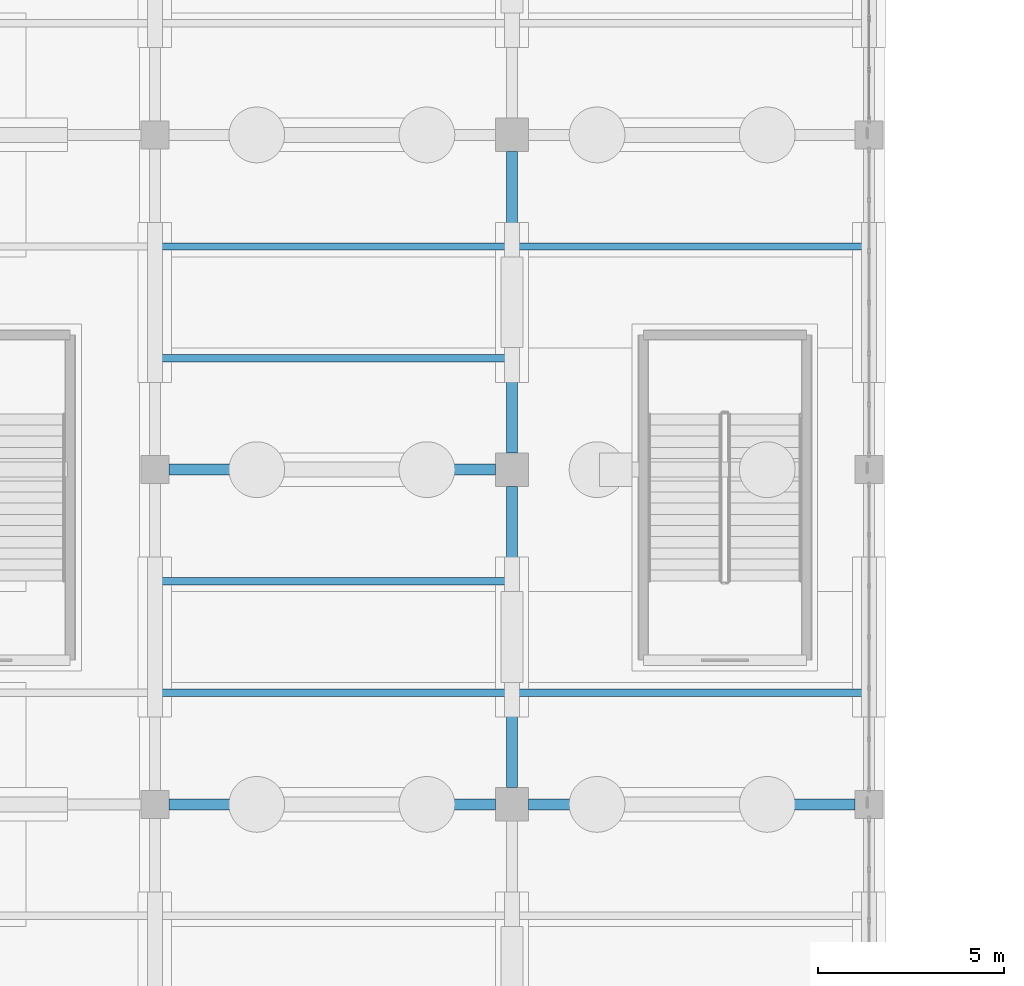
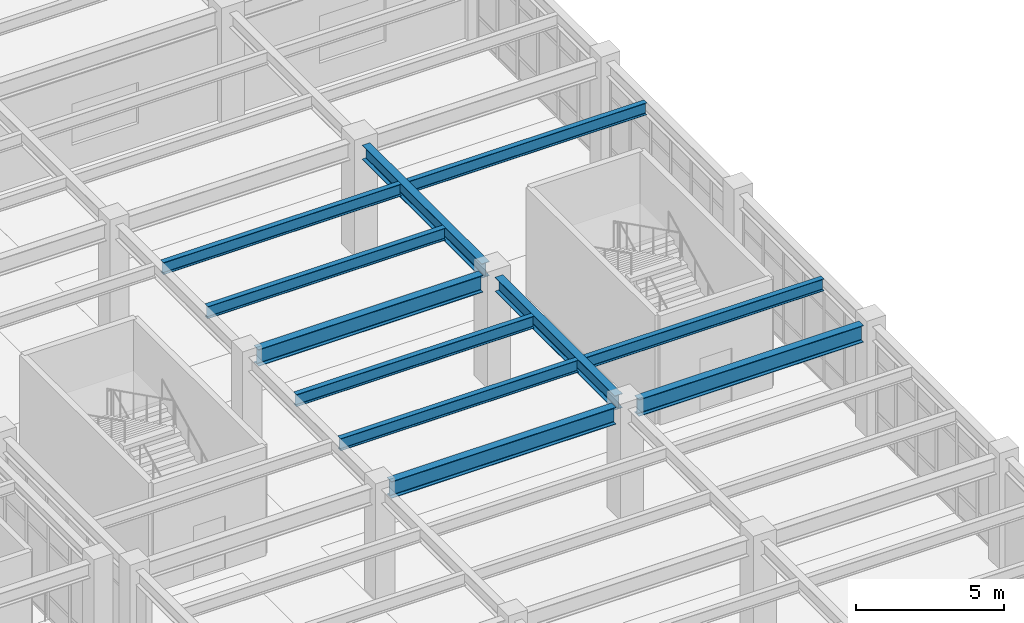
# One storey, part 73 of 139: 11 beams.
"""IFC4 building model written with IfcOpenShell, lengths in metres."""

from ifc_helpers import new_model, si_unit, direction, frame, origin, origin_2d, place, context, subcontext, project, spatial, i_section, extrude, material, material_profile, profile_set, type_object, element, save


model = new_model("IFC4")

# Units and contexts
model_context = context("Model", 3, precision=1e-05, world=origin(), true_north=direction((0.0, 1.0)))
body_context = subcontext(model_context, "Body", "Model", "MODEL_VIEW")
ifc_project = project(units=[si_unit("LENGTHUNIT", "METRE"), si_unit("AREAUNIT", "SQUARE_METRE"), si_unit("VOLUMEUNIT", "CUBIC_METRE"), si_unit("PLANEANGLEUNIT", "RADIAN"), si_unit("MASSUNIT", "GRAM", prefix="KILO")], contexts=[model_context])

# Site, building, storey
site_placement = place(None, origin())
site = spatial("IfcSite", under=ifc_project, at=site_placement, CompositionType="ELEMENT")
building_placement = place(site_placement, origin())
building = spatial("IfcBuilding", under=site, at=building_placement, Name="Canglan Escarpment Cableway Terminal", CompositionType="ELEMENT")
storey_placement = place(building_placement, frame((0.0, 0.0, 14.39990234375)))
storey = spatial("IfcBuildingStorey", under=building, at=storey_placement, Name="L03", CompositionType="ELEMENT", Elevation=14.39990234375)

# Beams
ifc_material_1 = material(Name="Steel Q355C", Category="steel")
ifc_material_profile_1 = material_profile(ifc_material_1, i_section(OverallWidth=0.302001953125, OverallDepth=0.593994140625, WebThickness=0.013916015625, FlangeThickness=0.02294921875, FilletRadius=0.028076171875, at=origin_2d()), Name="HM 594x302x14x23")
ifc_profile_set_1 = profile_set([ifc_material_profile_1], Name="Steel Q355C")
beam_type_1 = type_object("IfcBeamType", Name="BM-HM594", PredefinedType="BEAM", material=ifc_profile_set_1)
for number, where, z_axis, x_axis, name in (
    (1, (156.800048828125, 88.449951171875, 4.203125), (0.0, 1.0, 0.0), (-1.0, 0.0, 0.0), "Primary transverse girder B-07"),
    (2, (156.800048828125, 97.449951171875, 4.203125), (0.0, 1.0, 0.0), (-1.0, 0.0, 0.0), "Primary transverse girder B-07"),
):
    element("IfcBeam", number, at=place(storey_placement, frame(where, z_axis=z_axis, x_axis=x_axis)), inside=storey, type_object=beam_type_1, Name=name, PredefinedType="BEAM", context=body_context, shape_type="SweptSolid", body=[
        extrude(i_section(OverallWidth=0.302001953125, OverallDepth=0.593994140625, WebThickness=0.013916015625, FlangeThickness=0.02294921875, FilletRadius=0.028076171875, at=origin_2d()), origin(), (0.0, 0.0, 1.0), 8.10009765625),
    ])
ifc_material_profile_2 = material_profile(ifc_material_1, i_section(OverallWidth=0.300048828125, OverallDepth=0.699951171875, WebThickness=0.012939453125, FlangeThickness=0.02392578125, FilletRadius=0.028076171875, at=origin_2d()), Name="HN 700x300x13x24")
ifc_profile_set_2 = profile_set([ifc_material_profile_2], Name="Steel Q355C")
beam_type_2 = type_object("IfcBeamType", Name="BM-HN700", PredefinedType="BEAM", material=ifc_profile_set_2)
beam_1_placement = place(storey_placement, frame((147.574951171875, 88.0, 4.150146484375), z_axis=(1.0, 0.0, 0.0), x_axis=(0.0, 1.0, 0.0)))
element("IfcBeam", 3, at=beam_1_placement, inside=storey, type_object=beam_type_2, Name="Primary structural girder B-06", PredefinedType="BEAM", context=body_context, shape_type="SweptSolid", body=[
    extrude(i_section(OverallWidth=0.300048828125, OverallDepth=0.699951171875, WebThickness=0.012939453125, FlangeThickness=0.02392578125, FilletRadius=0.028076171875, at=origin_2d()), origin(), (0.0, 0.0, 1.0), 8.775146484375),
])
beam_2_placement = place(storey_placement, frame((157.25, 88.0, 4.150146484375), z_axis=(1.0, 0.0, 0.0), x_axis=(0.0, 1.0, 0.0)))
element("IfcBeam", 4, at=beam_2_placement, inside=storey, type_object=beam_type_2, Name="Primary structural girder B-06", PredefinedType="BEAM", context=body_context, shape_type="SweptSolid", body=[
    extrude(i_section(OverallWidth=0.300048828125, OverallDepth=0.699951171875, WebThickness=0.012939453125, FlangeThickness=0.02392578125, FilletRadius=0.028076171875, at=origin_2d()), origin(), (0.0, 0.0, 1.0), 8.77490234375),
])
beam_3_placement = place(storey_placement, frame((147.574951171875, 97.0, 4.150146484375), z_axis=(1.0, 0.0, 0.0), x_axis=(0.0, 1.0, 0.0)))
element("IfcBeam", 5, at=beam_3_placement, inside=storey, type_object=beam_type_2, Name="Primary structural girder B-06", PredefinedType="BEAM", context=body_context, shape_type="SweptSolid", body=[
    extrude(i_section(OverallWidth=0.300048828125, OverallDepth=0.699951171875, WebThickness=0.012939453125, FlangeThickness=0.02392578125, FilletRadius=0.028076171875, at=origin_2d()), origin(), (0.0, 0.0, 1.0), 8.775146484375),
])
ifc_material_2 = material(Name="Steel Q355B", Category="steel")
ifc_material_profile_3 = material_profile(ifc_material_2, i_section(OverallWidth=0.199951171875, OverallDepth=0.5, WebThickness=0.010009765625, FlangeThickness=0.01611328125, FilletRadius=0.02001953125, at=origin_2d()), Name="HN 500x200x10x16")
ifc_profile_set_3 = profile_set([ifc_material_profile_3], Name="Steel Q355B")
beam_type_3 = type_object("IfcBeamType", Name="JS-HN500", PredefinedType="JOIST", material=ifc_profile_set_3)
for number, where, z_axis, x_axis, name in (
    (6, (147.35107421875, 91.0, 4.25), (1.0, 0.0, 0.0), (0.0, 1.0, 0.0), "Secondary composite deck joist J-01"),
    (7, (147.35107421875, 94.0, 4.25), (1.0, 0.0, 0.0), (0.0, 1.0, 0.0), "Secondary composite deck joist J-01"),
    (8, (147.35107421875, 100.0, 4.25), (1.0, 0.0, 0.0), (0.0, 1.0, 0.0), "Secondary composite deck joist J-01"),
    (9, (147.35107421875, 103.0, 4.25), (1.0, 0.0, 0.0), (0.0, 1.0, 0.0), "Secondary composite deck joist J-01"),
):
    element("IfcBeam", number, at=place(storey_placement, frame(where, z_axis=z_axis, x_axis=x_axis)), inside=storey, type_object=beam_type_3, Name=name, PredefinedType="JOIST", context=body_context, shape_type="SweptSolid", body=[
        extrude(i_section(OverallWidth=0.199951171875, OverallDepth=0.5, WebThickness=0.010009765625, FlangeThickness=0.01611328125, FilletRadius=0.02001953125, at=origin_2d()), origin(), (0.0, 0.0, 1.0), 9.2978515625),
    ])
for number, where, z_axis, x_axis, name in (
    (10, (156.950927734375, 91.0, 4.25), (1.0, 0.0, 0.0), (0.0, 1.0, 0.0), "Secondary composite deck joist J-01"),
    (11, (156.950927734375, 103.0, 4.25), (1.0, 0.0, 0.0), (0.0, 1.0, 0.0), "Secondary composite deck joist J-01"),
):
    element("IfcBeam", number, at=place(storey_placement, frame(where, z_axis=z_axis, x_axis=x_axis)), inside=storey, type_object=beam_type_3, Name=name, PredefinedType="JOIST", context=body_context, shape_type="SweptSolid", body=[
        extrude(i_section(OverallWidth=0.199951171875, OverallDepth=0.5, WebThickness=0.010009765625, FlangeThickness=0.01611328125, FilletRadius=0.02001953125, at=origin_2d()), origin(), (0.0, 0.0, 1.0), 9.298095703125),
    ])

save(model, "model.ifc")
